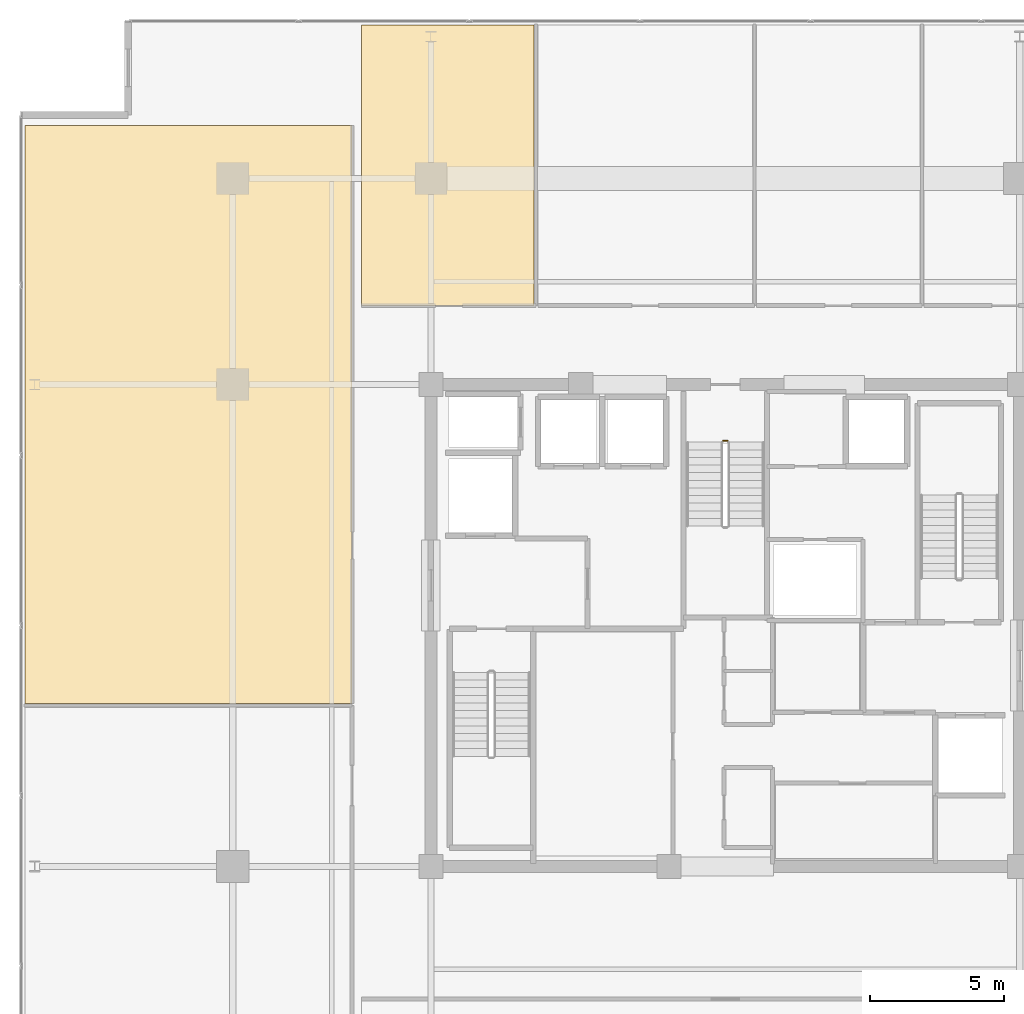
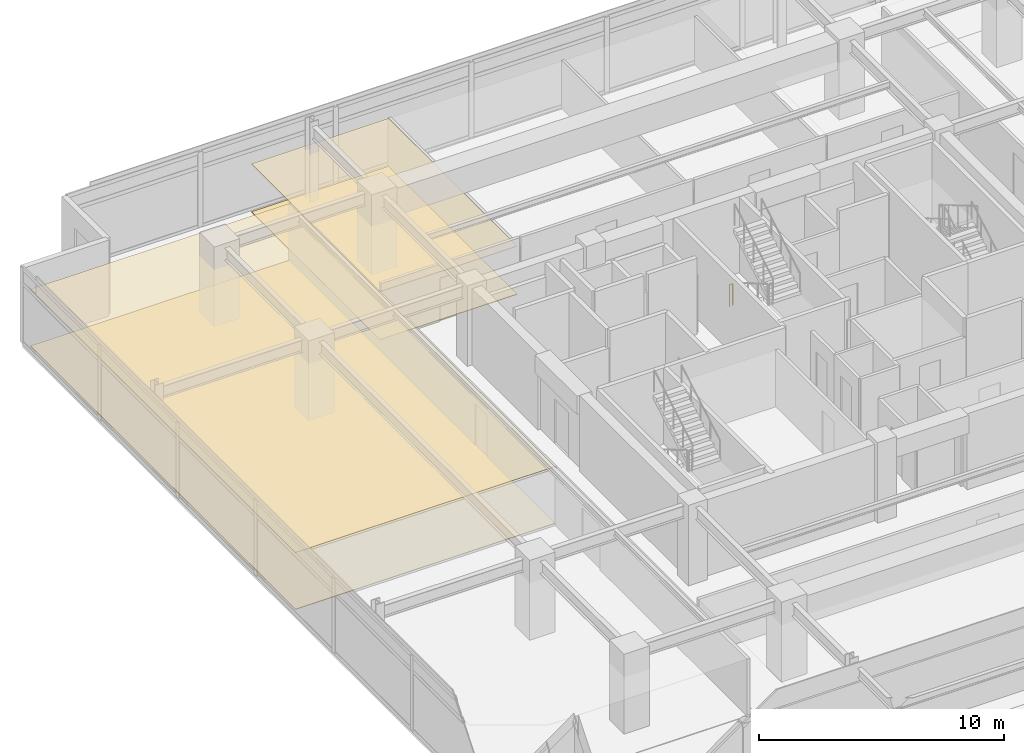
# One storey, part 20 of 21: 4 coverings, 1 railing.
"""IFC4 building model written with IfcOpenShell, lengths in metres."""

import ifcopenshell
import ifcopenshell.guid

model = None  # the IFC model being written
_history = None  # IfcOwnerHistory: only IFC2X3 demands one
_inside = {}  # id of a spatial element -> (the spatial element, [elements in it])
_under = {}  # id of a project, library or spatial element -> (it, [spatial elements below it])
_declared = {}  # id of a project -> (the project, [libraries it declares])
_typed = {}  # id of a type object -> (the type object, [elements of that type])
_made_of = {}  # id of a material, layer set ... -> (it, [elements and type objects made of it])


def new_model(schema):
    """Start an empty IFC model of exactly this schema.

    Asked for "IFC4X3", IfcOpenShell would pick the latest addendum, in which some entities
    have other attributes; the version numbers below select the first issue.
    IFC2X3 requires an IfcOwnerHistory on every rooted entity: one is made here for all.
    """
    global model, _history
    if schema == "IFC4X3":
        model = ifcopenshell.file(schema_version=(4, 3, 0, 0))
    else:
        model = ifcopenshell.file(schema=schema)
    _inside.clear()
    _under.clear()
    _declared.clear()
    _typed.clear()
    _made_of.clear()
    _history = None
    if model.schema == "IFC2X3":
        org = make("IfcOrganization", Name="unknown")
        user = make(
            "IfcPersonAndOrganization",
            ThePerson=make("IfcPerson", FamilyName="unknown"),
            TheOrganization=org,
        )
        app = make(
            "IfcApplication",
            ApplicationDeveloper=org,
            Version="unknown",
            ApplicationFullName="unknown",
            ApplicationIdentifier="unknown",
        )
        _history = make(
            "IfcOwnerHistory",
            OwningUser=user,
            OwningApplication=app,
            ChangeAction="ADDED",
            CreationDate=0,
        )
    return model


def make(cls, **values):
    """One entity of the class cls with the attributes given. An attribute that is None is left unset."""
    return model.create_entity(
        cls, **{name: value for name, value in values.items() if value is not None}
    )


def rooted(cls, **values):
    """An entity with a GlobalId (a new one), such as an element, a storey or a relation."""
    return make(cls, GlobalId=ifcopenshell.guid.new(), OwnerHistory=_history, **values)


def si_unit(unit_type, name, prefix=None):
    """IfcSIUnit, for example si_unit("LENGTHUNIT", "METRE", prefix="MILLI")."""
    return make("IfcSIUnit", UnitType=unit_type, Prefix=prefix, Name=name)


def assignment(units):
    """IfcUnitAssignment: the units of a project."""
    return None if units is None else make("IfcUnitAssignment", Units=units)


def point(xyz):
    """IfcCartesianPoint."""
    return None if xyz is None else make("IfcCartesianPoint", Coordinates=xyz)


def direction(xyz):
    """IfcDirection."""
    return None if xyz is None else make("IfcDirection", DirectionRatios=xyz)


def frame(location, z_axis=None, x_axis=None):
    """IfcAxis2Placement3D, a coordinate frame: its origin and axes. An axis left out is left unset."""
    return make(
        "IfcAxis2Placement3D",
        Location=point(location),
        Axis=direction(z_axis),
        RefDirection=direction(x_axis),
    )


def frame_2d(location, x_axis=None):
    """IfcAxis2Placement2D, a coordinate frame in the plane: its origin and x axis."""
    return make(
        "IfcAxis2Placement2D", Location=point(location), RefDirection=direction(x_axis)
    )


def origin():
    """The frame at (0, 0, 0) with its axes left unset."""
    return frame((0.0, 0.0, 0.0))


def origin_2d():
    """The frame at (0, 0) in the plane with its x axis left unset."""
    return frame_2d((0.0, 0.0))


def place(relative_to, where):
    """IfcLocalPlacement: puts the frame where relative to a parent placement (None: the world)."""
    return make(
        "IfcLocalPlacement", PlacementRelTo=relative_to, RelativePlacement=where
    )


def context(
    kind, dimensions, precision=None, world=None, true_north=None, identifier=None
):
    """IfcGeometricRepresentationContext, for example the 3D "Model" context."""
    return make(
        "IfcGeometricRepresentationContext",
        ContextIdentifier=identifier,
        ContextType=kind,
        CoordinateSpaceDimension=dimensions,
        Precision=precision,
        WorldCoordinateSystem=world,
        TrueNorth=true_north,
    )


def subcontext(parent, identifier, kind, view, scale=None):
    """IfcGeometricRepresentationSubContext, for example "Body" below "Model"."""
    return make(
        "IfcGeometricRepresentationSubContext",
        ContextIdentifier=identifier,
        ContextType=kind,
        ParentContext=parent,
        TargetScale=scale,
        TargetView=view,
    )


def project(units=None, contexts=None):
    """IfcProject with its units and contexts."""
    return rooted(
        "IfcProject",
        Name="project",
        RepresentationContexts=contexts,
        UnitsInContext=assignment(units),
    )


def spatial(cls, under=None, at=None, **own):
    """A site, building, storey or space (cls), placed at a placement, below another one or the project."""
    s = rooted(cls, ObjectPlacement=at, **own)
    if under is not None:
        _under.setdefault(under.id(), (under, []))[1].append(s)
    return s


def polyline(points):
    """IfcPolyline through the points."""
    return make("IfcPolyline", Points=[point(p) for p in points])


def profile(cls, at=None, kind="AREA", **sizes):
    """A parametric profile (cls). Its sizes go by their IFC names, for example OverallWidth=200.0."""
    return make(cls, ProfileType=kind, Position=at, **sizes)


def circle(**sizes):
    """IfcCircleProfileDef."""
    return profile("IfcCircleProfileDef", **sizes)


def outline(outer, holes=None, kind="AREA"):
    """IfcArbitraryClosedProfileDef: a profile drawn as a closed curve; with holes, ...WithVoids."""
    if holes is None:
        return make("IfcArbitraryClosedProfileDef", ProfileType=kind, OuterCurve=outer)
    return make(
        "IfcArbitraryProfileDefWithVoids",
        ProfileType=kind,
        OuterCurve=outer,
        InnerCurves=holes,
    )


def extrude(swept, where, along, depth):
    """IfcExtrudedAreaSolid: the profile swept, set in the frame where, extruded along a direction by depth."""
    return make(
        "IfcExtrudedAreaSolid",
        SweptArea=swept,
        Position=where,
        ExtrudedDirection=direction(along),
        Depth=depth,
    )


def shape(context_of_items, identifier, shape_type, items):
    """IfcShapeRepresentation: the items that make up one representation, for example the "Body"."""
    return make(
        "IfcShapeRepresentation",
        ContextOfItems=context_of_items,
        RepresentationIdentifier=identifier,
        RepresentationType=shape_type,
        Items=items,
    )


def material(Name=None, Category=None):
    """IfcMaterial."""
    return make("IfcMaterial", Name=Name, Category=Category)


def layer(
    of_material, thickness, ventilated=None, Name=None, Category=None, Priority=None
):
    """IfcMaterialLayer: one layer of a wall or slab, of a material (None: an air gap)."""
    return make(
        "IfcMaterialLayer",
        Material=of_material,
        LayerThickness=thickness,
        IsVentilated=ventilated,
        Name=Name,
        Category=Category,
        Priority=Priority,
    )


def layer_set(layers, Name=None):
    """IfcMaterialLayerSet."""
    return make("IfcMaterialLayerSet", MaterialLayers=layers, LayerSetName=Name)


def made_of(thing, what):
    """Note that an element or type object is made of a material, layer set ...; save() writes the relation."""
    if what is not None:
        _made_of.setdefault(what.id(), (what, []))[1].append(thing)
    return thing


def type_object(cls, material=None, **own):
    """A type object (cls), such as IfcWallType, which elements share."""
    return made_of(rooted(cls, **own), material)


def element(
    cls,
    number,
    at=None,
    inside=None,
    cuts=None,
    type_object=None,
    material=None,
    context=None,
    identifier="Body",
    shape_type=None,
    held_by="IfcProductDefinitionShape",
    body=None,
    shapes=None,
    **own,
):
    """One element of the class cls, such as IfcWall. Its Tag is "e" and its number.

    at: its placement. inside: the storey or other place that contains it. cuts: it is an
    opening in that element (IfcRelVoidsElement). A single representation is given by context,
    identifier, shape_type and body (its items); several are given by shapes. held_by: the class
    of the entity that holds the representations. save() writes the other relations.
    """
    e = rooted(cls, Tag="e%d" % number, ObjectPlacement=at, **own)
    if body is not None:
        shapes = [shape(context, identifier, shape_type, body)]
    if shapes is not None:
        e.Representation = make(held_by, Representations=shapes)
    if inside is not None:
        _inside.setdefault(inside.id(), (inside, []))[1].append(e)
    if cuts is not None:
        rooted(
            "IfcRelVoidsElement", RelatingBuildingElement=cuts, RelatedOpeningElement=e
        )
    if type_object is not None:
        _typed.setdefault(type_object.id(), (type_object, []))[1].append(e)
    return made_of(e, material)


def aggregate(whole, parts):
    """IfcRelAggregates: a whole, such as a stair, and the parts it consists of."""
    return rooted("IfcRelAggregates", RelatingObject=whole, RelatedObjects=parts)


def save(model, path):
    """Write the relations noted so far, then the file.

    IfcRelAggregates (storeys below a building ...), IfcRelContainedInSpatialStructure (elements
    in a storey), IfcRelDefinesByType, IfcRelAssociatesMaterial and IfcRelDeclares: one each for
    every whole, place, type object, material and project.
    """
    for whole, parts in _under.values():
        aggregate(whole, parts)
    for where, things in _inside.values():
        rooted(
            "IfcRelContainedInSpatialStructure",
            RelatedElements=things,
            RelatingStructure=where,
        )
    for kind, things in _typed.values():
        rooted("IfcRelDefinesByType", RelatedObjects=things, RelatingType=kind)
    for what, things in _made_of.values():
        rooted("IfcRelAssociatesMaterial", RelatedObjects=things, RelatingMaterial=what)
    for by, libraries in _declared.values():
        rooted("IfcRelDeclares", RelatingContext=by, RelatedDefinitions=libraries)
    model.write(path)


model = new_model("IFC4")

# Units and contexts
model_context = context("Model", 3, precision=1e-05, world=origin(), true_north=direction((0.0, 1.0)))
body_context = subcontext(model_context, "Body", "Model", "MODEL_VIEW")
ifc_project = project(units=[si_unit("LENGTHUNIT", "METRE"), si_unit("AREAUNIT", "SQUARE_METRE"), si_unit("VOLUMEUNIT", "CUBIC_METRE"), si_unit("PLANEANGLEUNIT", "RADIAN"), si_unit("MASSUNIT", "GRAM", prefix="KILO")], contexts=[model_context])

# Site, building, storey
site_placement = place(None, origin())
site = spatial("IfcSite", under=ifc_project, at=site_placement, CompositionType="ELEMENT")
building_placement = place(site_placement, origin())
building = spatial("IfcBuilding", under=site, at=building_placement, Name="Kovane Verandah Tower", CompositionType="ELEMENT")
storey_placement = place(building_placement, frame((0.0, 0.0, 263.199951171875)))
storey = spatial("IfcBuildingStorey", under=building, at=storey_placement, Name="L61", CompositionType="ELEMENT", Elevation=263.199951171875)

# Coverings
ifc_material_1 = material(Name="Perforated Acoustic Mineral-Fibre Ceiling Tile", Category="gypsum")
ifc_layer_1 = layer(ifc_material_1, 0.02490234375)
ifc_layer_set_1 = layer_set([ifc_layer_1], Name="Perforated Acoustic Mineral-Fibre Ceiling Tile")
covering_type_1 = type_object("IfcCoveringType", Name="CV-CEIL-25", PredefinedType="CEILING", material=ifc_layer_set_1)
covering_1_placement = place(storey_placement, frame((0.0, 0.0, 2.39013671875)))
element("IfcCovering", 1, at=covering_1_placement, inside=storey, type_object=covering_type_1, Name="L61 Breakout Pantry N1 Acoustic Ceiling", PredefinedType="CEILING", context=body_context, shape_type="SweptSolid", body=[
    extrude(outline(polyline([(26.39990234375, 39.449951171875), (32.85791015625, 39.449951171875), (32.85791015625, 49.929931640625), (26.39990234375, 49.929931640625), (26.39990234375, 39.449951171875)])), origin(), (0.0, 0.0, 1.0), 0.02490234375),
])
covering_2_placement = place(storey_placement, frame((0.0, 0.0, 2.824951171875)))
element("IfcCovering", 2, at=covering_2_placement, inside=storey, type_object=covering_type_1, Name="L61 Meeting Room W2 Acoustic Ceiling", PredefinedType="CEILING", context=body_context, shape_type="SweptSolid", body=[
    extrude(outline(polyline([(13.84228515625, 24.581298828125), (26.050048828125, 24.581298828125), (26.050048828125, 46.179931640625), (13.84228515625, 46.179931640625), (13.84228515625, 24.581298828125)])), origin(), (0.0, 0.0, 1.0), 0.025146484375),
])
ifc_material_2 = material(Name="Polished Terrazzo and Raised-Access Carpet Tile Finish", Category="concrete")
ifc_layer_2 = layer(ifc_material_2, 0.030029296875)
ifc_layer_set_2 = layer_set([ifc_layer_2], Name="Polished Terrazzo and Raised-Access Carpet Tile Finish")
covering_type_2 = type_object("IfcCoveringType", Name="CV-FLOR-30", PredefinedType="FLOORING", material=ifc_layer_set_2)
covering_3_placement = place(storey_placement, origin())
element("IfcCovering", 3, at=covering_3_placement, inside=storey, type_object=covering_type_2, Name="L61 Breakout Pantry N1 Floor Finish", PredefinedType="FLOORING", context=body_context, shape_type="SweptSolid", body=[
    extrude(outline(polyline([(26.39990234375, 39.449951171875), (32.85791015625, 39.449951171875), (32.85791015625, 49.929931640625), (26.39990234375, 49.929931640625), (26.39990234375, 39.449951171875)])), origin(), (0.0, 0.0, 1.0), 0.030029296875),
])
covering_4_placement = place(storey_placement, origin())
element("IfcCovering", 4, at=covering_4_placement, inside=storey, type_object=covering_type_2, Name="L61 Meeting Room W2 Floor Finish", PredefinedType="FLOORING", context=body_context, shape_type="SweptSolid", body=[
    extrude(outline(polyline([(13.84228515625, 24.581298828125), (26.050048828125, 24.581298828125), (26.050048828125, 46.179931640625), (13.84228515625, 46.179931640625), (13.84228515625, 24.581298828125)])), origin(), (0.0, 0.0, 1.0), 0.030029296875),
])

# Railing
ifc_material_3 = material(Name="Painted Steel Stairwell Guardrail", Category="steel")
railing_type = type_object("IfcRailingType", Name="RL-STGUARD-1120", PredefinedType="GUARDRAIL", material=ifc_material_3)
railing_placement = place(storey_placement, frame((39.919921875, 34.39990234375, 0.0)))
element("IfcRailing", 5, at=railing_placement, inside=storey, type_object=railing_type, Name="L61 ST-03 stair guard 4", PredefinedType="GUARDRAIL", context=body_context, shape_type="SweptSolid", body=[
    extrude(circle(Radius=0.02392578125, at=origin_2d()), frame((0.0, 0.0, 1.076171875), z_axis=(1.0, 0.0, 0.0), x_axis=(0.0, 1.0, 0.0)), (0.0, 0.0, 1.0), 0.16015625),
    extrude(circle(Radius=0.02099609375, at=origin_2d()), origin(), (0.0, 0.0, 1.0), 1.052001953125),
    extrude(circle(Radius=0.02099609375, at=origin_2d()), frame((0.16015625, 0.0, 0.0)), (0.0, 0.0, 1.0), 1.052001953125),
])

save(model, "model.ifc")
